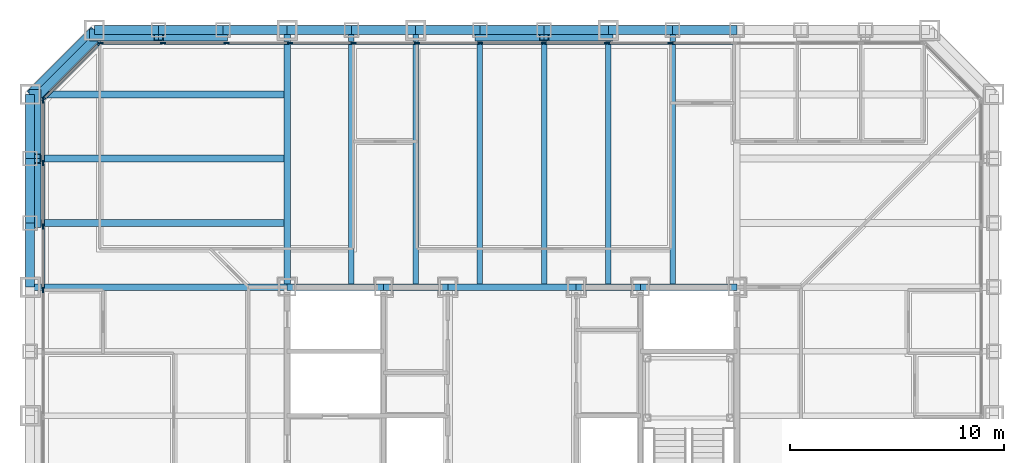
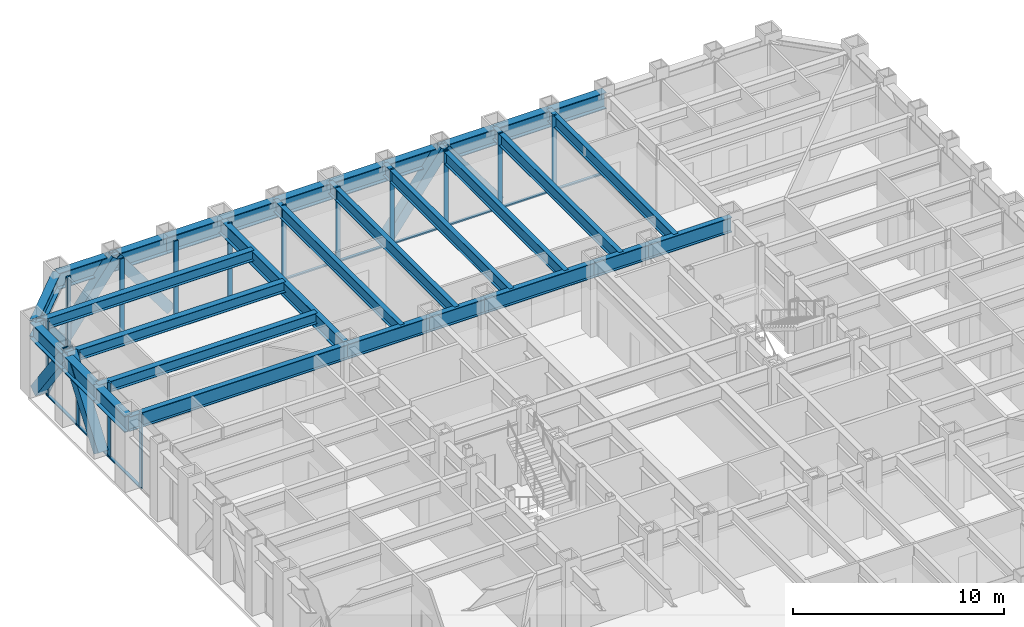
# One storey, part 5 of 16: 37 members, 30 beams, 3 elements without a shape of their own.
"""IFC4 building model written with IfcOpenShell, lengths in metres."""

from ifc_helpers import new_model, si_unit, direction, frame, origin, origin_2d, place, context, subcontext, project, spatial, rectangle, hollow_rectangle, i_section, extrude, material, layer, layer_set, material_profile, profile_set, type_object, element, aggregate, save


model = new_model("IFC4")

# Units and contexts
model_context = context("Model", 3, precision=1e-05, world=origin(), true_north=direction((0.0, 1.0)))
body_context = subcontext(model_context, "Body", "Model", "MODEL_VIEW")
ifc_project = project(units=[si_unit("LENGTHUNIT", "METRE"), si_unit("AREAUNIT", "SQUARE_METRE"), si_unit("VOLUMEUNIT", "CUBIC_METRE"), si_unit("PLANEANGLEUNIT", "RADIAN"), si_unit("MASSUNIT", "GRAM", prefix="KILO")], contexts=[model_context])

# Site, building, storey
site_placement = place(None, origin())
site = spatial("IfcSite", under=ifc_project, at=site_placement, CompositionType="ELEMENT")
building_placement = place(site_placement, origin())
building = spatial("IfcBuilding", under=site, at=building_placement, Name="Chuquiago Exchange Tower", CompositionType="ELEMENT")
storey_placement = place(building_placement, frame((0.0, 0.0, 33.300048828125)))
storey = spatial("IfcBuildingStorey", under=building, at=storey_placement, Name="L06", CompositionType="ELEMENT", Elevation=33.300048828125)

# Beams
ifc_material_1 = material(Name="Steel ASTM A992", Category="steel")
ifc_material_profile_1 = material_profile(ifc_material_1, i_section(OverallWidth=0.2919921875, OverallDepth=0.8583984375, WebThickness=0.01708984375, FlangeThickness=0.031005859375, at=origin_2d()), Name="W33X169")
ifc_profile_set_1 = profile_set([ifc_material_profile_1], Name="Steel ASTM A992")
beam_type_1 = type_object("IfcBeamType", Name="B3 W33X169", PredefinedType="BEAM", material=ifc_profile_set_1)
beam_1_placement = place(storey_placement, frame((12.0, 33.0, 3.610595703125), z_axis=(1.0, 0.0, 0.0), x_axis=(0.0, 1.0, 0.0)))
element("IfcBeam", 1, at=beam_1_placement, inside=storey, type_object=beam_type_1, Name="CB-L07-12_33-16.5_33", PredefinedType="BEAM", context=body_context, shape_type="SweptSolid", body=[
    extrude(i_section(OverallWidth=0.2919921875, OverallDepth=0.8583984375, WebThickness=0.01708984375, FlangeThickness=0.031005859375, at=origin_2d()), origin(), (0.0, 0.0, 1.0), 4.5),
])
beam_2_placement = place(storey_placement, frame((16.5, 33.0, 3.610595703125), z_axis=(1.0, 0.0, 0.0), x_axis=(0.0, 1.0, 0.0)))
element("IfcBeam", 2, at=beam_2_placement, inside=storey, type_object=beam_type_1, Name="CB-L07-16.5_33-19.5_33", PredefinedType="BEAM", context=body_context, shape_type="SweptSolid", body=[
    extrude(i_section(OverallWidth=0.2919921875, OverallDepth=0.8583984375, WebThickness=0.01708984375, FlangeThickness=0.031005859375, at=origin_2d()), origin(), (0.0, 0.0, 1.0), 3.0),
])
beam_3_placement = place(storey_placement, frame((19.5, 33.0, 3.610595703125), z_axis=(1.0, 0.0, 0.0), x_axis=(0.0, 1.0, 0.0)))
element("IfcBeam", 3, at=beam_3_placement, inside=storey, type_object=beam_type_1, Name="CB-L07-19.5_33-25.5_33", PredefinedType="BEAM", context=body_context, shape_type="SweptSolid", body=[
    extrude(i_section(OverallWidth=0.2919921875, OverallDepth=0.8583984375, WebThickness=0.01708984375, FlangeThickness=0.031005859375, at=origin_2d()), origin(), (0.0, 0.0, 1.0), 6.0),
])
beam_4_placement = place(storey_placement, frame((25.5, 33.0, 3.610595703125), z_axis=(1.0, 0.0, 0.0), x_axis=(0.0, 1.0, 0.0)))
element("IfcBeam", 4, at=beam_4_placement, inside=storey, type_object=beam_type_1, Name="CB-L07-25.5_33-28.5_33", PredefinedType="BEAM", context=body_context, shape_type="SweptSolid", body=[
    extrude(i_section(OverallWidth=0.2919921875, OverallDepth=0.8583984375, WebThickness=0.01708984375, FlangeThickness=0.031005859375, at=origin_2d()), origin(), (0.0, 0.0, 1.0), 3.0),
])
beam_5_placement = place(storey_placement, frame((28.5, 33.0, 3.610595703125), z_axis=(1.0, 0.0, 0.0), x_axis=(0.0, 1.0, 0.0)))
element("IfcBeam", 5, at=beam_5_placement, inside=storey, type_object=beam_type_1, Name="CB-L07-28.5_33-33_33", PredefinedType="BEAM", context=body_context, shape_type="SweptSolid", body=[
    extrude(i_section(OverallWidth=0.2919921875, OverallDepth=0.8583984375, WebThickness=0.01708984375, FlangeThickness=0.031005859375, at=origin_2d()), origin(), (0.0, 0.0, 1.0), 4.5),
])
ifc_material_2 = material(Name="Steel ASTM A992", Category="steel")
ifc_material_profile_2 = material_profile(ifc_material_2, i_section(OverallWidth=0.256591796875, OverallDepth=0.693359375, WebThickness=0.014404296875, FlangeThickness=0.023681640625, at=origin_2d()), Name="W27X114")
ifc_profile_set_2 = profile_set([ifc_material_profile_2], Name="Steel ASTM A992")
beam_type_2 = type_object("IfcBeamType", Name="B4 W27X114", PredefinedType="BEAM", material=ifc_profile_set_2)
for number, where, z_axis, x_axis, name in (
    (6, (15.0, 33.0, 3.693359375), (0.0, 1.0, 0.0), (-1.0, 0.0, 0.0), "FB-L07-infill-15_33-15_45-0"),
    (7, (18.0, 33.0, 3.693359375), (0.0, 1.0, 0.0), (-1.0, 0.0, 0.0), "FB-L07-infill-18_33-18_45-0"),
    (8, (21.0, 33.0, 3.693359375), (0.0, 1.0, 0.0), (-1.0, 0.0, 0.0), "FB-L07-infill-21_33-21_45-0"),
    (9, (24.0, 33.0, 3.693359375), (0.0, 1.0, 0.0), (-1.0, 0.0, 0.0), "FB-L07-infill-24_33-24_45-0"),
    (10, (27.0, 33.0, 3.693359375), (0.0, 1.0, 0.0), (-1.0, 0.0, 0.0), "FB-L07-infill-27_33-27_45-0"),
    (11, (30.0, 33.0, 3.693359375), (0.0, 1.0, 0.0), (-1.0, 0.0, 0.0), "FB-L07-infill-30_33-30_45-0"),
):
    element("IfcBeam", number, at=place(storey_placement, frame(where, z_axis=z_axis, x_axis=x_axis)), inside=storey, type_object=beam_type_2, Name=name, PredefinedType="BEAM", context=body_context, shape_type="SweptSolid", body=[
        extrude(i_section(OverallWidth=0.256591796875, OverallDepth=0.693359375, WebThickness=0.014404296875, FlangeThickness=0.023681640625, at=origin_2d()), origin(), (0.0, 0.0, 1.0), 12.0),
    ])
ifc_material_3 = material(Name="Steel ASTM A992", Category="steel")
ifc_material_profile_3 = material_profile(ifc_material_3, i_section(OverallWidth=0.3251953125, OverallDepth=0.6171875, WebThickness=0.013916015625, FlangeThickness=0.021484375, at=origin_2d()), Name="W24X117")
ifc_profile_set_3 = profile_set([ifc_material_profile_3], Name="Steel ASTM A992")
beam_type_3 = type_object("IfcBeamType", Name="B5 W24X117", PredefinedType="BEAM", material=ifc_profile_set_3)
for number, where, z_axis, x_axis, name in (
    (12, (12.0, 36.0, 3.7314453125), (-1.0, 0.0, 0.0), (0.0, -1.0, 0.0), "FB-L07-corner-12_36--0_36-0"),
    (13, (12.0, 39.0, 3.7314453125), (-1.0, 0.0, 0.0), (0.0, -1.0, 0.0), "FB-L07-corner-12_39--0_39-0"),
    (14, (12.0, 42.0, 3.7314453125), (-1.0, 0.0, 0.0), (0.0, -1.0, 0.0), "FB-L07-corner-12_42--0_42-0"),
):
    element("IfcBeam", number, at=place(storey_placement, frame(where, z_axis=z_axis, x_axis=x_axis)), inside=storey, type_object=beam_type_3, Name=name, PredefinedType="BEAM", context=body_context, shape_type="SweptSolid", body=[
        extrude(i_section(OverallWidth=0.3251953125, OverallDepth=0.6171875, WebThickness=0.013916015625, FlangeThickness=0.021484375, at=origin_2d()), origin(), (0.0, 0.0, 1.0), 12.0),
    ])

# Curtain wall, members
ifc_material_4 = material(Name="Aluminium curtain wall system", Category="aluminium")
ifc_layer_1 = layer(ifc_material_4, 0.25)
ifc_layer_set_1 = layer_set([ifc_layer_1], Name="CW1 trading floor curtain wall")
curtain_wall_type_1 = type_object("IfcCurtainWallType", Name="CW1 trading floor curtain wall", PredefinedType="NOTDEFINED", material=ifc_layer_set_1)
curtain_wall_1_placement = place(storey_placement, origin())
curtain_wall_1 = element("IfcCurtainWall", 15, at=curtain_wall_1_placement, inside=storey, type_object=curtain_wall_type_1, Name="CW1 curtain wall L06", PredefinedType="NOTDEFINED")
ifc_material_5 = material(Name="Aluminium mullion, pale anodised", Category="aluminium")
ifc_material_profile_4 = material_profile(ifc_material_5, rectangle(XDim=0.074951171875, YDim=0.25, at=origin_2d()), Name="AL 75x250")
ifc_profile_set_4 = profile_set([ifc_material_profile_4], Name="Aluminium mullion, pale anodised")
member_type_1 = type_object("IfcMemberType", Name="CW1-M mullion 75x250", PredefinedType="MULLION", material=ifc_profile_set_4)
member_1_placement = place(storey_placement, frame((29.904541015625, 44.39990234375, -0.300048828125), z_axis=(0.0, 0.0, 1.0), x_axis=(0.0, -1.0, 0.0)))
member_1 = element("IfcMember", 16, at=member_1_placement, type_object=member_type_1, Name="CW1 mullion 5", PredefinedType="MULLION", context=body_context, shape_type="SweptSolid", body=[
    extrude(rectangle(XDim=0.074951171875, YDim=0.25, at=origin_2d()), origin(), (0.0, 0.0, 1.0), 4.340087890625),
])
member_2_placement = place(storey_placement, frame((26.942626953125, 44.39990234375, -0.300048828125), z_axis=(0.0, 0.0, 1.0), x_axis=(0.0, -1.0, 0.0)))
member_2 = element("IfcMember", 17, at=member_2_placement, type_object=member_type_1, Name="CW1 mullion 6", PredefinedType="MULLION", context=body_context, shape_type="SweptSolid", body=[
    extrude(rectangle(XDim=0.074951171875, YDim=0.25, at=origin_2d()), origin(), (0.0, 0.0, 1.0), 4.340087890625),
])
member_3_placement = place(storey_placement, frame((23.98095703125, 44.39990234375, -0.300048828125), z_axis=(0.0, 0.0, 1.0), x_axis=(0.0, -1.0, 0.0)))
member_3 = element("IfcMember", 18, at=member_3_placement, type_object=member_type_1, Name="CW1 mullion 7", PredefinedType="MULLION", context=body_context, shape_type="SweptSolid", body=[
    extrude(rectangle(XDim=0.074951171875, YDim=0.25, at=origin_2d()), origin(), (0.0, 0.0, 1.0), 4.340087890625),
])
member_4_placement = place(storey_placement, frame((21.01904296875, 44.39990234375, -0.300048828125), z_axis=(0.0, 0.0, 1.0), x_axis=(0.0, -1.0, 0.0)))
member_4 = element("IfcMember", 19, at=member_4_placement, type_object=member_type_1, Name="CW1 mullion 8", PredefinedType="MULLION", context=body_context, shape_type="SweptSolid", body=[
    extrude(rectangle(XDim=0.074951171875, YDim=0.25, at=origin_2d()), origin(), (0.0, 0.0, 1.0), 4.340087890625),
])
member_5_placement = place(storey_placement, frame((18.057373046875, 44.39990234375, -0.300048828125), z_axis=(0.0, 0.0, 1.0), x_axis=(0.0, -1.0, 0.0)))
member_5 = element("IfcMember", 20, at=member_5_placement, type_object=member_type_1, Name="CW1 mullion 9", PredefinedType="MULLION", context=body_context, shape_type="SweptSolid", body=[
    extrude(rectangle(XDim=0.074951171875, YDim=0.25, at=origin_2d()), origin(), (0.0, 0.0, 1.0), 4.340087890625),
])
member_6_placement = place(storey_placement, frame((15.095458984375, 44.39990234375, -0.300048828125), z_axis=(0.0, 0.0, 1.0), x_axis=(0.0, -1.0, 0.0)))
member_6 = element("IfcMember", 21, at=member_6_placement, type_object=member_type_1, Name="CW1 mullion 10", PredefinedType="MULLION", context=body_context, shape_type="SweptSolid", body=[
    extrude(rectangle(XDim=0.074951171875, YDim=0.25, at=origin_2d()), origin(), (0.0, 0.0, 1.0), 4.340087890625),
])
member_7_placement = place(storey_placement, frame((12.1337890625, 44.39990234375, -0.300048828125), z_axis=(0.0, 0.0, 1.0), x_axis=(0.0, -1.0, 0.0)))
member_7 = element("IfcMember", 22, at=member_7_placement, type_object=member_type_1, Name="CW1 mullion 11", PredefinedType="MULLION", context=body_context, shape_type="SweptSolid", body=[
    extrude(rectangle(XDim=0.074951171875, YDim=0.25, at=origin_2d()), origin(), (0.0, 0.0, 1.0), 4.340087890625),
])
member_8_placement = place(storey_placement, frame((9.172119140625, 44.39990234375, -0.300048828125), z_axis=(0.0, 0.0, 1.0), x_axis=(0.0, -1.0, 0.0)))
member_8 = element("IfcMember", 23, at=member_8_placement, type_object=member_type_1, Name="CW1 mullion 12", PredefinedType="MULLION", context=body_context, shape_type="SweptSolid", body=[
    extrude(rectangle(XDim=0.074951171875, YDim=0.25, at=origin_2d()), origin(), (0.0, 0.0, 1.0), 4.340087890625),
])
member_9_placement = place(storey_placement, frame((6.210205078125, 44.39990234375, -0.300048828125), z_axis=(0.0, 0.0, 1.0), x_axis=(0.0, -1.0, 0.0)))
member_9 = element("IfcMember", 24, at=member_9_placement, type_object=member_type_1, Name="CW1 mullion 13", PredefinedType="MULLION", context=body_context, shape_type="SweptSolid", body=[
    extrude(rectangle(XDim=0.074951171875, YDim=0.25, at=origin_2d()), origin(), (0.0, 0.0, 1.0), 4.340087890625),
])
member_10_placement = place(storey_placement, frame((3.285888671875, 44.39990234375, -0.300048828125), z_axis=(0.0, 0.0, 1.0), x_axis=(0.0, -1.0, 0.0)))
member_10 = element("IfcMember", 25, at=member_10_placement, type_object=member_type_1, Name="CW1 mullion 14", PredefinedType="MULLION", context=body_context, shape_type="SweptSolid", body=[
    extrude(rectangle(XDim=0.074951171875, YDim=0.25, at=origin_2d()), origin(), (0.0, 0.0, 1.0), 4.340087890625),
])

curtain_wall_2_placement = place(storey_placement, origin())
curtain_wall_2 = element("IfcCurtainWall", 26, at=curtain_wall_2_placement, inside=storey, type_object=curtain_wall_type_1, Name="CW1 curtain wall L06", PredefinedType="NOTDEFINED")
member_11_placement = place(storey_placement, frame((0.60009765625, 41.714111328125, -0.300048828125), z_axis=(0.0, 0.0, 1.0), x_axis=(1.0, 0.0, 0.0)))
member_11 = element("IfcMember", 27, at=member_11_placement, type_object=member_type_1, Name="CW1 mullion 1", PredefinedType="MULLION", context=body_context, shape_type="SweptSolid", body=[
    extrude(rectangle(XDim=0.074951171875, YDim=0.25, at=origin_2d()), origin(), (0.0, 0.0, 1.0), 4.340087890625),
])
member_12_placement = place(storey_placement, frame((0.60009765625, 38.789794921875, -0.300048828125), z_axis=(0.0, 0.0, 1.0), x_axis=(1.0, 0.0, 0.0)))
member_12 = element("IfcMember", 28, at=member_12_placement, type_object=member_type_1, Name="CW1 mullion 2", PredefinedType="MULLION", context=body_context, shape_type="SweptSolid", body=[
    extrude(rectangle(XDim=0.074951171875, YDim=0.25, at=origin_2d()), origin(), (0.0, 0.0, 1.0), 4.340087890625),
])
member_13_placement = place(storey_placement, frame((0.60009765625, 35.827880859375, -0.300048828125), z_axis=(0.0, 0.0, 1.0), x_axis=(1.0, 0.0, 0.0)))
member_13 = element("IfcMember", 29, at=member_13_placement, type_object=member_type_1, Name="CW1 mullion 3", PredefinedType="MULLION", context=body_context, shape_type="SweptSolid", body=[
    extrude(rectangle(XDim=0.074951171875, YDim=0.25, at=origin_2d()), origin(), (0.0, 0.0, 1.0), 4.340087890625),
])
member_14_placement = place(storey_placement, frame((0.60009765625, 32.8662109375, -0.300048828125), z_axis=(0.0, 0.0, 1.0), x_axis=(1.0, 0.0, 0.0)))
member_14 = element("IfcMember", 30, at=member_14_placement, type_object=member_type_1, Name="CW1 mullion 4", PredefinedType="MULLION", context=body_context, shape_type="SweptSolid", body=[
    extrude(rectangle(XDim=0.074951171875, YDim=0.25, at=origin_2d()), origin(), (0.0, 0.0, 1.0), 4.340087890625),
])

# Member
ifc_material_6 = material(Name="Aluminium transom, pale anodised", Category="aluminium")
ifc_material_profile_5 = material_profile(ifc_material_6, rectangle(XDim=0.14990234375, YDim=0.074951171875, at=origin_2d()), Name="AL 150x75")
ifc_profile_set_5 = profile_set([ifc_material_profile_5], Name="Aluminium transom, pale anodised")
member_type_2 = type_object("IfcMemberType", Name="CW1-T transom 75x150", PredefinedType="MULLION", material=ifc_profile_set_5)
member_15_placement = place(storey_placement, frame((32.82861328125, 44.39990234375, -0.262451171875), z_axis=(-1.0, 0.0, 0.0), x_axis=(0.0, -1.0, 0.0)))
member_15 = element("IfcMember", 31, at=member_15_placement, type_object=member_type_2, Name="CW1 transom 4.1", PredefinedType="MULLION", context=body_context, shape_type="SweptSolid", body=[
    extrude(rectangle(XDim=0.14990234375, YDim=0.074951171875, at=origin_2d()), origin(), (0.0, 0.0, 1.0), 2.88671875),
])

member_16_placement = place(storey_placement, frame((29.866943359375, 44.39990234375, -0.262451171875), z_axis=(-1.0, 0.0, 0.0), x_axis=(0.0, -1.0, 0.0)))
member_16 = element("IfcMember", 32, at=member_16_placement, type_object=member_type_2, Name="CW1 transom 5.1", PredefinedType="MULLION", context=body_context, shape_type="SweptSolid", body=[
    extrude(rectangle(XDim=0.14990234375, YDim=0.074951171875, at=origin_2d()), origin(), (0.0, 0.0, 1.0), 2.88671875),
])

member_17_placement = place(storey_placement, frame((26.9052734375, 44.39990234375, -0.262451171875), z_axis=(-1.0, 0.0, 0.0), x_axis=(0.0, -1.0, 0.0)))
member_17 = element("IfcMember", 33, at=member_17_placement, type_object=member_type_2, Name="CW1 transom 6.1", PredefinedType="MULLION", context=body_context, shape_type="SweptSolid", body=[
    extrude(rectangle(XDim=0.14990234375, YDim=0.074951171875, at=origin_2d()), origin(), (0.0, 0.0, 1.0), 2.886962890625),
])

member_18_placement = place(storey_placement, frame((23.943359375, 44.39990234375, -0.262451171875), z_axis=(-1.0, 0.0, 0.0), x_axis=(0.0, -1.0, 0.0)))
member_18 = element("IfcMember", 34, at=member_18_placement, type_object=member_type_2, Name="CW1 transom 7.1", PredefinedType="MULLION", context=body_context, shape_type="SweptSolid", body=[
    extrude(rectangle(XDim=0.14990234375, YDim=0.074951171875, at=origin_2d()), origin(), (0.0, 0.0, 1.0), 2.88671875),
])

member_19_placement = place(storey_placement, frame((20.981689453125, 44.39990234375, -0.262451171875), z_axis=(-1.0, 0.0, 0.0), x_axis=(0.0, -1.0, 0.0)))
member_19 = element("IfcMember", 35, at=member_19_placement, type_object=member_type_2, Name="CW1 transom 8.1", PredefinedType="MULLION", context=body_context, shape_type="SweptSolid", body=[
    extrude(rectangle(XDim=0.14990234375, YDim=0.074951171875, at=origin_2d()), origin(), (0.0, 0.0, 1.0), 2.886962890625),
])

member_20_placement = place(storey_placement, frame((18.019775390625, 44.39990234375, -0.262451171875), z_axis=(-1.0, 0.0, 0.0), x_axis=(0.0, -1.0, 0.0)))
member_20 = element("IfcMember", 36, at=member_20_placement, type_object=member_type_2, Name="CW1 transom 9.1", PredefinedType="MULLION", context=body_context, shape_type="SweptSolid", body=[
    extrude(rectangle(XDim=0.14990234375, YDim=0.074951171875, at=origin_2d()), origin(), (0.0, 0.0, 1.0), 2.88671875),
])

member_21_placement = place(storey_placement, frame((15.05810546875, 44.39990234375, -0.262451171875), z_axis=(-1.0, 0.0, 0.0), x_axis=(0.0, -1.0, 0.0)))
member_21 = element("IfcMember", 37, at=member_21_placement, type_object=member_type_2, Name="CW1 transom 10.1", PredefinedType="MULLION", context=body_context, shape_type="SweptSolid", body=[
    extrude(rectangle(XDim=0.14990234375, YDim=0.074951171875, at=origin_2d()), origin(), (0.0, 0.0, 1.0), 2.88671875),
])

member_22_placement = place(storey_placement, frame((12.09619140625, 44.39990234375, -0.262451171875), z_axis=(-1.0, 0.0, 0.0), x_axis=(0.0, -1.0, 0.0)))
member_22 = element("IfcMember", 38, at=member_22_placement, type_object=member_type_2, Name="CW1 transom 11.1", PredefinedType="MULLION", context=body_context, shape_type="SweptSolid", body=[
    extrude(rectangle(XDim=0.14990234375, YDim=0.074951171875, at=origin_2d()), origin(), (0.0, 0.0, 1.0), 2.88671875),
])

member_23_placement = place(storey_placement, frame((9.134521484375, 44.39990234375, -0.262451171875), z_axis=(-1.0, 0.0, 0.0), x_axis=(0.0, -1.0, 0.0)))
member_23 = element("IfcMember", 39, at=member_23_placement, type_object=member_type_2, Name="CW1 transom 12.1", PredefinedType="MULLION", context=body_context, shape_type="SweptSolid", body=[
    extrude(rectangle(XDim=0.14990234375, YDim=0.074951171875, at=origin_2d()), origin(), (0.0, 0.0, 1.0), 2.88671875),
])

member_24_placement = place(storey_placement, frame((6.1728515625, 44.39990234375, -0.262451171875), z_axis=(-1.0, 0.0, 0.0), x_axis=(0.0, -1.0, 0.0)))
member_24 = element("IfcMember", 40, at=member_24_placement, type_object=member_type_2, Name="CW1 transom 13.1", PredefinedType="MULLION", context=body_context, shape_type="SweptSolid", body=[
    extrude(rectangle(XDim=0.14990234375, YDim=0.074951171875, at=origin_2d()), origin(), (0.0, 0.0, 1.0), 2.849365234375),
])

aggregate(curtain_wall_1, [member_1, member_2, member_3, member_4, member_5, member_6, member_7, member_8, member_9, member_10, member_15, member_16, member_17, member_18, member_19, member_20, member_21, member_22, member_23, member_24])

member_25_placement = place(storey_placement, frame((0.60009765625, 41.676513671875, -0.262451171875), z_axis=(0.0, -1.0, 0.0), x_axis=(1.0, 0.0, 0.0)))
member_25 = element("IfcMember", 41, at=member_25_placement, type_object=member_type_2, Name="CW1 transom 1.1", PredefinedType="MULLION", context=body_context, shape_type="SweptSolid", body=[
    extrude(rectangle(XDim=0.14990234375, YDim=0.074951171875, at=origin_2d()), origin(), (0.0, 0.0, 1.0), 2.849365234375),
])

member_26_placement = place(storey_placement, frame((0.60009765625, 38.752197265625, -0.262451171875), z_axis=(0.0, -1.0, 0.0), x_axis=(1.0, 0.0, 0.0)))
member_26 = element("IfcMember", 42, at=member_26_placement, type_object=member_type_2, Name="CW1 transom 2.1", PredefinedType="MULLION", context=body_context, shape_type="SweptSolid", body=[
    extrude(rectangle(XDim=0.14990234375, YDim=0.074951171875, at=origin_2d()), origin(), (0.0, 0.0, 1.0), 2.88671875),
])

member_27_placement = place(storey_placement, frame((0.60009765625, 35.79052734375, -0.262451171875), z_axis=(0.0, -1.0, 0.0), x_axis=(1.0, 0.0, 0.0)))
member_27 = element("IfcMember", 43, at=member_27_placement, type_object=member_type_2, Name="CW1 transom 3.1", PredefinedType="MULLION", context=body_context, shape_type="SweptSolid", body=[
    extrude(rectangle(XDim=0.14990234375, YDim=0.074951171875, at=origin_2d()), origin(), (0.0, 0.0, 1.0), 2.88671875),
])

aggregate(curtain_wall_2, [member_11, member_12, member_13, member_14, member_25, member_26, member_27])

# Curtain wall, members
ifc_material_7 = material(Name="Aluminium curtain wall system", Category="aluminium")
ifc_layer_2 = layer(ifc_material_7, 0.199951171875)
ifc_layer_set_2 = layer_set([ifc_layer_2], Name="CW3 facet curtain wall")
curtain_wall_type_2 = type_object("IfcCurtainWallType", Name="CW3 facet curtain wall", PredefinedType="NOTDEFINED", material=ifc_layer_set_2)
curtain_wall_3_placement = place(storey_placement, origin())
curtain_wall_3 = element("IfcCurtainWall", 44, at=curtain_wall_3_placement, inside=storey, type_object=curtain_wall_type_2, Name="CW3 curtain wall L06", PredefinedType="NOTDEFINED")
ifc_material_8 = material(Name="Aluminium mullion, pale anodised", Category="aluminium")
ifc_material_profile_6 = material_profile(ifc_material_8, rectangle(XDim=0.06494140625, YDim=0.199951171875, at=origin_2d()), Name="AL 65x200")
ifc_profile_set_6 = profile_set([ifc_material_profile_6], Name="Aluminium mullion, pale anodised")
member_type_3 = type_object("IfcMemberType", Name="CW3-M mullion 65x200", PredefinedType="MULLION", material=ifc_profile_set_6)
member_28_placement = place(storey_placement, frame((3.2255859375, 44.376953125, -0.300048828125), z_axis=(0.0, 0.0, 1.0), x_axis=(0.707106781187, -0.707106781187, 0.0)))
member_28 = element("IfcMember", 45, at=member_28_placement, type_object=member_type_3, Name="CW3 mullion 1", PredefinedType="MULLION", context=body_context, shape_type="SweptSolid", body=[
    extrude(rectangle(XDim=0.06494140625, YDim=0.199951171875, at=origin_2d()), origin(), (0.0, 0.0, 1.0), 4.340087890625),
])
member_29_placement = place(storey_placement, frame((0.623046875, 41.7744140625, -0.300048828125), z_axis=(0.0, 0.0, 1.0), x_axis=(0.707106781187, -0.707106781187, 0.0)))
member_29 = element("IfcMember", 46, at=member_29_placement, type_object=member_type_3, Name="CW3 mullion 2", PredefinedType="MULLION", context=body_context, shape_type="SweptSolid", body=[
    extrude(rectangle(XDim=0.06494140625, YDim=0.199951171875, at=origin_2d()), origin(), (0.0, 0.0, 1.0), 4.340087890625),
])
ifc_material_9 = material(Name="Aluminium transom, pale anodised", Category="aluminium")
ifc_material_profile_7 = material_profile(ifc_material_9, rectangle(XDim=0.139892578125, YDim=0.06494140625, at=origin_2d()), Name="AL 140x65")
ifc_profile_set_7 = profile_set([ifc_material_profile_7], Name="Aluminium transom, pale anodised")
member_type_4 = type_object("IfcMemberType", Name="CW3-T transom 65x140", PredefinedType="MULLION", material=ifc_profile_set_7)
member_30_placement = place(storey_placement, frame((3.20263671875, 44.35400390625, -0.267578125), z_axis=(-0.707106781187, -0.707106781187, 0.0), x_axis=(0.707106781187, -0.707106781187, 0.0)))
member_30 = element("IfcMember", 47, at=member_30_placement, type_object=member_type_4, Name="CW3 transom 1.1", PredefinedType="MULLION", context=body_context, shape_type="SweptSolid", body=[
    extrude(rectangle(XDim=0.139892578125, YDim=0.06494140625, at=origin_2d()), origin(), (0.0, 0.0, 1.0), 3.61572265625),
])
aggregate(curtain_wall_3, [member_28, member_29, member_30])

# Beams
ifc_material_10 = material(Name="Steel ASTM A992", Category="steel")
ifc_material_profile_8 = material_profile(ifc_material_10, i_section(OverallWidth=0.2919921875, OverallDepth=0.8583984375, WebThickness=0.01708984375, FlangeThickness=0.031005859375, at=origin_2d()), Name="W33X169")
ifc_profile_set_8 = profile_set([ifc_material_profile_8], Name="Steel ASTM A992")
beam_type_4 = type_object("IfcBeamType", Name="G2 W33X169", PredefinedType="BEAM", material=ifc_profile_set_8)
for number, where, z_axis, x_axis, name in (
    (48, (12.0, 33.0, 3.610595703125), (0.0, 1.0, 0.0), (-1.0, 0.0, 0.0), "FB-L07-girder-12_33-12_45-0"),
    (49, (12.0, 33.0, 3.610595703125), (-1.0, 0.0, 0.0), (0.0, -1.0, 0.0), "FB-L07-girder-12_33--0_33-0"),
):
    element("IfcBeam", number, at=place(storey_placement, frame(where, z_axis=z_axis, x_axis=x_axis)), inside=storey, type_object=beam_type_4, Name=name, PredefinedType="BEAM", context=body_context, shape_type="SweptSolid", body=[
        extrude(i_section(OverallWidth=0.2919921875, OverallDepth=0.8583984375, WebThickness=0.01708984375, FlangeThickness=0.031005859375, at=origin_2d()), origin(), (0.0, 0.0, 1.0), 12.0),
    ])

# Members
ifc_material_11 = material(Name="Steel ASTM A500 Grade C", Category="steel")
ifc_material_profile_9 = material_profile(ifc_material_11, hollow_rectangle(XDim=0.406494140625, YDim=0.406494140625, WallThickness=0.0146484375, at=origin_2d()), Name="HSS16X16X5/8")
ifc_profile_set_9 = profile_set([ifc_material_profile_9], Name="Steel ASTM A500 Grade C")
member_type_5 = type_object("IfcMemberType", Name="LB4 HSS16X16X5/8", PredefinedType="BRACE", material=ifc_profile_set_9)
member_31_placement = place(storey_placement, frame((3.21337890625, 44.78662109375, 0.0), z_axis=(-0.512077265487, -0.512077265487, 0.689604051861), x_axis=(0.707106781187, -0.707106781187, 0.0)))
element("IfcMember", 50, at=member_31_placement, inside=storey, type_object=member_type_5, Name="LB-L06-3_45-0_42", PredefinedType="BRACE", context=body_context, shape_type="SweptSolid", body=[
    extrude(hollow_rectangle(XDim=0.406494140625, YDim=0.406494140625, WallThickness=0.0146484375, at=origin_2d()), origin(), (0.0, 0.0, 1.0), 5.8583984375),
])
ifc_material_12 = material(Name="Steel ASTM A572 Grade 50", Category="steel")
ifc_material_profile_10 = material_profile(ifc_material_12, hollow_rectangle(XDim=0.550048828125, YDim=0.550048828125, WallThickness=0.044921875, at=origin_2d()), Name="BOX550X550X45")
ifc_profile_set_10 = profile_set([ifc_material_profile_10], Name="Steel ASTM A572 Grade 50")
member_type_6 = type_object("IfcMemberType", Name="MB1 BOX550X550X45", PredefinedType="BRACE", material=ifc_profile_set_10)
for number, where, z_axis, x_axis, name in (
    (51, (27.0, 44.77001953125, 0.0), (-0.596173923302, 0.0, 0.802855312728), (0.0, -1.0, 0.0), "Mega diagonal L06 N face"),
    (52, (21.0, 44.77001953125, 0.0), (0.596173923302, 0.0, 0.802855312728), (0.0, 1.0, 0.0), "Mega diagonal L06 N face"),
    (53, (9.0, 44.77001953125, 0.0), (-0.596173923302, 0.0, 0.802855312728), (0.0, -1.0, 0.0), "Mega diagonal L06 N face"),
    (54, (3.0, 44.77001953125, 0.0), (0.596173923302, 0.0, 0.802855312728), (0.0, 1.0, 0.0), "Mega diagonal L06 N face"),
    (55, (0.22998046875, 42.0, 0.0), (0.0, -0.596173923302, 0.802855312728), (1.0, 0.0, 0.0), "Mega diagonal L06 W face"),
    (56, (0.22998046875, 36.0, 0.0), (0.0, 0.596173923302, 0.802855312728), (-1.0, 0.0, 0.0), "Mega diagonal L06 W face"),
):
    element("IfcMember", number, at=place(storey_placement, frame(where, z_axis=z_axis, x_axis=x_axis)), inside=storey, type_object=member_type_6, Name=name, PredefinedType="BRACE", context=body_context, shape_type="SweptSolid", body=[
        extrude(hollow_rectangle(XDim=0.550048828125, YDim=0.550048828125, WallThickness=0.044921875, at=origin_2d()), origin(), (0.0, 0.0, 1.0), 5.031982421875),
    ])

# Beams
ifc_material_13 = material(Name="Steel ASTM A992", Category="steel")
ifc_material_profile_11 = material_profile(ifc_material_13, i_section(OverallWidth=0.424072265625, OverallDepth=0.947509765625, WebThickness=0.02392578125, FlangeThickness=0.042724609375, at=origin_2d()), Name="W36X302")
ifc_profile_set_11 = profile_set([ifc_material_profile_11], Name="Steel ASTM A992")
beam_type_5 = type_object("IfcBeamType", Name="SP1 W36X302", PredefinedType="SPANDREL", material=ifc_profile_set_11)
for number, where, z_axis, x_axis, name in (
    (57, (33.0, 45.0, 3.566162109375), (-1.0, 0.0, 0.0), (0.0, -1.0, 0.0), "SPB-L07-33_45-30_45"),
    (58, (30.0, 45.0, 3.566162109375), (-1.0, 0.0, 0.0), (0.0, -1.0, 0.0), "SPB-L07-30_45-27_45"),
    (59, (27.0, 45.0, 3.566162109375), (-1.0, 0.0, 0.0), (0.0, -1.0, 0.0), "SPB-L07-27_45-24_45"),
    (60, (24.0, 45.0, 3.566162109375), (-1.0, 0.0, 0.0), (0.0, -1.0, 0.0), "SPB-L07-24_45-21_45"),
    (61, (21.0, 45.0, 3.566162109375), (-1.0, 0.0, 0.0), (0.0, -1.0, 0.0), "SPB-L07-21_45-18_45"),
    (62, (18.0, 45.0, 3.566162109375), (-1.0, 0.0, 0.0), (0.0, -1.0, 0.0), "SPB-L07-18_45-15_45"),
    (63, (15.0, 45.0, 3.566162109375), (-1.0, 0.0, 0.0), (0.0, -1.0, 0.0), "SPB-L07-15_45-12_45"),
    (64, (12.0, 45.0, 3.566162109375), (-1.0, 0.0, 0.0), (0.0, -1.0, 0.0), "SPB-L07-12_45-9_45"),
    (65, (9.0, 45.0, 3.566162109375), (-1.0, 0.0, 0.0), (0.0, -1.0, 0.0), "SPB-L07-9_45-6_45"),
    (66, (6.0, 45.0, 3.566162109375), (-1.0, 0.0, 0.0), (0.0, -1.0, 0.0), "SPB-L07-6_45-3_45"),
):
    element("IfcBeam", number, at=place(storey_placement, frame(where, z_axis=z_axis, x_axis=x_axis)), inside=storey, type_object=beam_type_5, Name=name, PredefinedType="SPANDREL", context=body_context, shape_type="SweptSolid", body=[
        extrude(i_section(OverallWidth=0.424072265625, OverallDepth=0.947509765625, WebThickness=0.02392578125, FlangeThickness=0.042724609375, at=origin_2d()), origin(), (0.0, 0.0, 1.0), 3.0),
    ])
beam_6_placement = place(storey_placement, frame((3.0, 45.0, 3.566162109375), z_axis=(-0.707106781187, -0.707106781187, 0.0), x_axis=(0.707106781187, -0.707106781187, 0.0)))
element("IfcBeam", 67, at=beam_6_placement, inside=storey, type_object=beam_type_5, Name="SPB-L07-3_45-0_42", PredefinedType="SPANDREL", context=body_context, shape_type="SweptSolid", body=[
    extrude(i_section(OverallWidth=0.424072265625, OverallDepth=0.947509765625, WebThickness=0.02392578125, FlangeThickness=0.042724609375, at=origin_2d()), origin(), (0.0, 0.0, 1.0), 4.24267578125),
])
for number, where, z_axis, x_axis, name in (
    (68, (0.0, 42.0, 3.566162109375), (0.0, -1.0, 0.0), (1.0, 0.0, 0.0), "SPB-L07-0_42-0_39"),
    (69, (0.0, 39.0, 3.566162109375), (0.0, -1.0, 0.0), (1.0, 0.0, 0.0), "SPB-L07-0_39-0_36"),
    (70, (0.0, 36.0, 3.566162109375), (0.0, -1.0, 0.0), (1.0, 0.0, 0.0), "SPB-L07-0_36-0_33"),
):
    element("IfcBeam", number, at=place(storey_placement, frame(where, z_axis=z_axis, x_axis=x_axis)), inside=storey, type_object=beam_type_5, Name=name, PredefinedType="SPANDREL", context=body_context, shape_type="SweptSolid", body=[
        extrude(i_section(OverallWidth=0.424072265625, OverallDepth=0.947509765625, WebThickness=0.02392578125, FlangeThickness=0.042724609375, at=origin_2d()), origin(), (0.0, 0.0, 1.0), 3.0),
    ])

save(model, "model.ifc")
